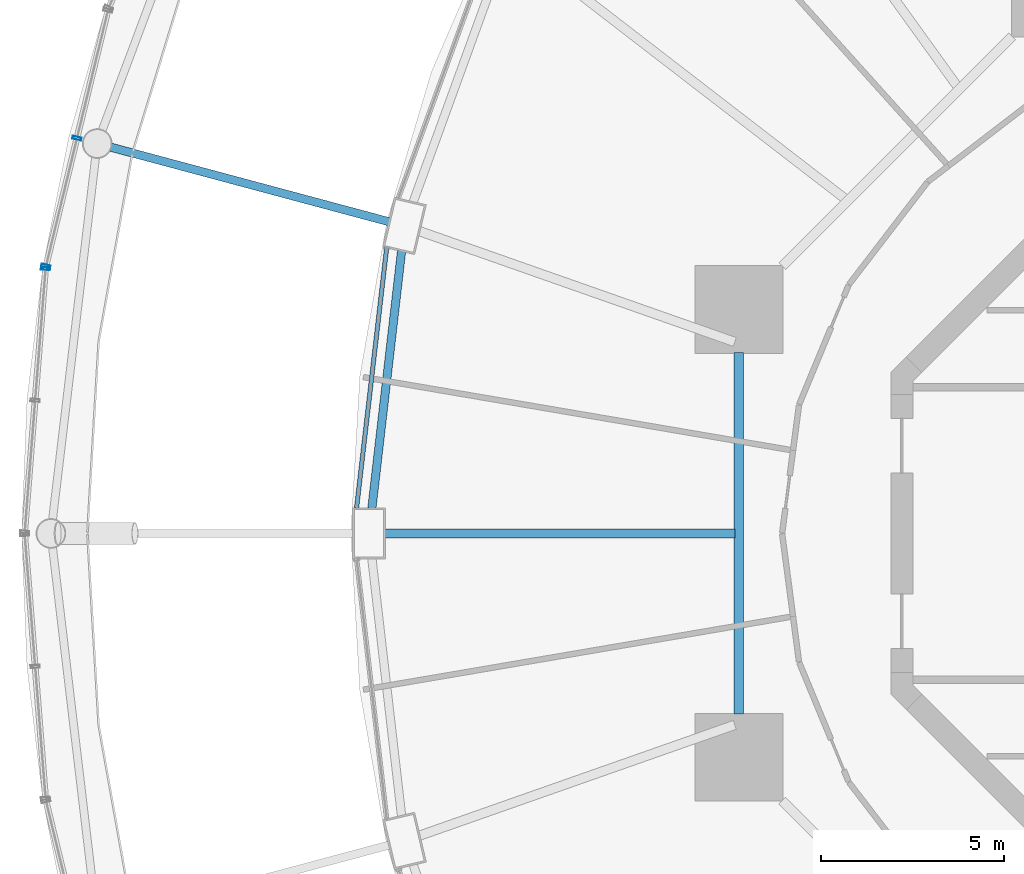
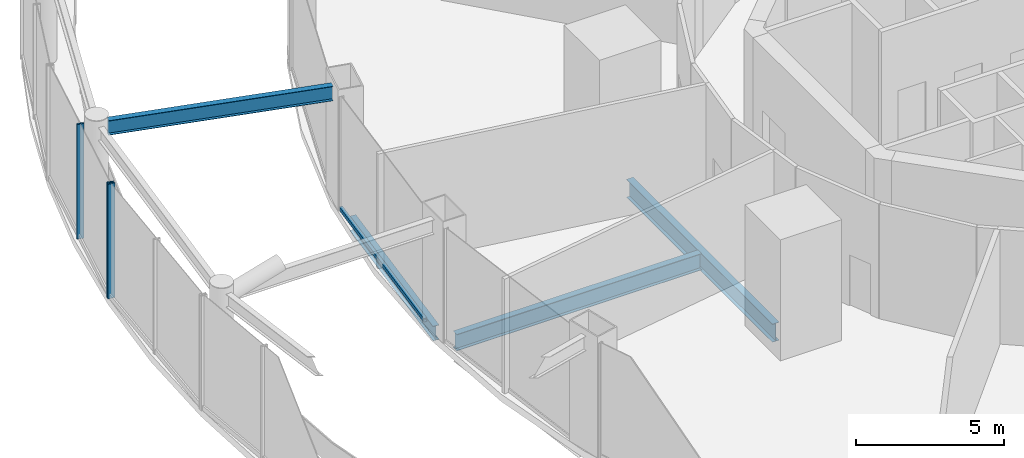
# One storey, part 20 of 52: 4 beams, 4 members, 3 elements without a shape of their own.
"""IFC4 building model written with IfcOpenShell, lengths in metres."""

from ifc_helpers import new_model, si_unit, direction, frame, origin, origin_2d, place, context, subcontext, project, spatial, hollow_rectangle, i_section, extrude, material, layer, layer_set, material_profile, profile_set, type_object, element, aggregate, save


model = new_model("IFC4")

# Units and contexts
model_context = context("Model", 3, precision=1e-05, world=origin(), true_north=direction((0.0, 1.0)))
body_context = subcontext(model_context, "Body", "Model", "MODEL_VIEW")
ifc_project = project(units=[si_unit("LENGTHUNIT", "METRE"), si_unit("AREAUNIT", "SQUARE_METRE"), si_unit("VOLUMEUNIT", "CUBIC_METRE"), si_unit("PLANEANGLEUNIT", "RADIAN"), si_unit("MASSUNIT", "GRAM", prefix="KILO")], contexts=[model_context])

# Site, building, storey
site_placement = place(None, origin())
site = spatial("IfcSite", under=ifc_project, at=site_placement, CompositionType="ELEMENT")
building_placement = place(site_placement, origin())
building = spatial("IfcBuilding", under=site, at=building_placement, Name="Nagisa Residences", CompositionType="ELEMENT")
storey_placement = place(building_placement, frame((0.0, 0.0, 22.0)))
storey = spatial("IfcBuildingStorey", under=building, at=storey_placement, Name="L04", CompositionType="ELEMENT", Elevation=22.0)

# Beam
ifc_material_1 = material(Name="Steel ASTM A572 Gr 50", Category="steel")
ifc_material_profile_1 = material_profile(ifc_material_1, i_section(OverallWidth=0.22802734375, OverallDepth=0.60302734375, WebThickness=0.010498046875, FlangeThickness=0.014892578125, at=origin_2d()), Name="W610x101")
ifc_profile_set_1 = profile_set([ifc_material_profile_1], Name="Steel ASTM A572 Gr 50")
beam_type_1 = type_object("IfcBeamType", Name="Atrium roof beam W610x101", PredefinedType="BEAM", material=ifc_profile_set_1)
beam_1_placement = place(storey_placement, frame((-24.344482421875, 8.52294921875, 4.448486328125), z_axis=(-0.965928422324, 0.258809356376, 0.0), x_axis=(-0.258809356376, -0.965928422324, 0.0)))
element("IfcBeam", 1, at=beam_1_placement, inside=storey, type_object=beam_type_1, Name="beam:L04:rer12", PredefinedType="BEAM", context=body_context, shape_type="SweptSolid", body=[
    extrude(i_section(OverallWidth=0.22802734375, OverallDepth=0.60302734375, WebThickness=0.010498046875, FlangeThickness=0.014892578125, at=origin_2d()), origin(), (0.0, 0.0, 1.0), 7.88330078125),
])

# Curtain wall, members
ifc_material_2 = material(Name="Stainless steel curtain wall system", Category="steel")
ifc_layer_1 = layer(ifc_material_2, 0.159912109375)
ifc_layer_set_1 = layer_set([ifc_layer_1], Name="CW3 CURTAIN WALL")
curtain_wall_type_1 = type_object("IfcCurtainWallType", Name="CW3 CURTAIN WALL", PredefinedType="NOTDEFINED", material=ifc_layer_set_1)
curtain_wall_1_placement = place(storey_placement, origin())
curtain_wall_1 = element("IfcCurtainWall", 2, at=curtain_wall_1_placement, inside=storey, type_object=curtain_wall_type_1, Name="cw:CW3:L04:16", PredefinedType="NOTDEFINED")
ifc_material_3 = material(Name="Stainless steel", Category="steel")
ifc_material_profile_2 = material_profile(ifc_material_3, hollow_rectangle(XDim=0.25, YDim=0.080078125, WallThickness=0.008056640625, at=origin_2d()), Name="CW3 MULLION 250x80")
ifc_profile_set_2 = profile_set([ifc_material_profile_2], Name="Stainless steel")
member_type_1 = type_object("IfcMemberType", Name="CW3 MULLION 250x80", PredefinedType="MULLION", material=ifc_profile_set_2)
member_1_placement = place(storey_placement, frame((-32.8876953125, 10.810302734375, 0.0), z_axis=(0.0, 0.0, 1.0), x_axis=(0.971848775146, -0.235605514043, 0.0)))
member_1 = element("IfcMember", 3, at=member_1_placement, type_object=member_type_1, Name="CW3 mullion", PredefinedType="MULLION", context=body_context, shape_type="SweptSolid", body=[
    extrude(hollow_rectangle(XDim=0.25, YDim=0.080078125, WallThickness=0.008056640625, at=origin_2d()), origin(), (0.0, 0.0, 1.0), 4.739990234375),
])
member_2_placement = place(storey_placement, frame((-33.735595703125, 7.313232421875, 0.0), z_axis=(0.0, 0.0, 1.0), x_axis=(0.971848775146, -0.235605514043, 0.0)))
member_2 = element("IfcMember", 4, at=member_2_placement, type_object=member_type_1, Name="CW3 mullion", PredefinedType="MULLION", context=body_context, shape_type="SweptSolid", body=[
    extrude(hollow_rectangle(XDim=0.25, YDim=0.080078125, WallThickness=0.008056640625, at=origin_2d()), origin(), (0.0, 0.0, 1.0), 4.739990234375),
])
aggregate(curtain_wall_1, [member_1, member_2])

# Curtain wall, member
curtain_wall_2_placement = place(storey_placement, origin())
curtain_wall_2 = element("IfcCurtainWall", 5, at=curtain_wall_2_placement, inside=storey, type_object=curtain_wall_type_1, Name="cw:CW3:L04:17", PredefinedType="NOTDEFINED")
member_3_placement = place(storey_placement, frame((-33.74609375, 7.2470703125, 0.0), z_axis=(0.0, 0.0, 1.0), x_axis=(0.996881777235, -0.078909582539, 0.0)))
member_3 = element("IfcMember", 6, at=member_3_placement, type_object=member_type_1, Name="CW3 mullion", PredefinedType="MULLION", context=body_context, shape_type="SweptSolid", body=[
    extrude(hollow_rectangle(XDim=0.25, YDim=0.080078125, WallThickness=0.008056640625, at=origin_2d()), origin(), (0.0, 0.0, 1.0), 4.739990234375),
])
aggregate(curtain_wall_2, [member_3])

ifc_material_4 = material(Name="Stainless steel curtain wall system", Category="steel")
ifc_layer_2 = layer(ifc_material_4, 0.159912109375)
ifc_layer_set_2 = layer_set([ifc_layer_2], Name="CW6 CURTAIN WALL")
curtain_wall_type_2 = type_object("IfcCurtainWallType", Name="CW6 CURTAIN WALL", PredefinedType="NOTDEFINED", material=ifc_layer_set_2)
curtain_wall_3_placement = place(storey_placement, origin())
curtain_wall_3 = element("IfcCurtainWall", 7, at=curtain_wall_3_placement, inside=storey, type_object=curtain_wall_type_2, Name="cw:CW6:L04:22", PredefinedType="NOTDEFINED")
ifc_material_5 = material(Name="Stainless steel", Category="steel")
ifc_material_profile_3 = material_profile(ifc_material_5, hollow_rectangle(XDim=0.1201171875, YDim=0.14990234375, WallThickness=0.008056640625, at=origin_2d()), Name="CW6 TRANSOM 120x150")
ifc_profile_set_3 = profile_set([ifc_material_profile_3], Name="Stainless steel")
member_type_2 = type_object("IfcMemberType", Name="CW6 TRANSOM 120x150", PredefinedType="USERDEFINED", material=ifc_profile_set_3)
member_4_placement = place(storey_placement, frame((-24.412841796875, 7.83642578125, 0.074951171875), z_axis=(-0.114916347997, -0.993375172311, 0.0), x_axis=(0.993375172311, -0.114916347997, 0.0)))
member_4 = element("IfcMember", 8, at=member_4_placement, type_object=member_type_2, Name="CW6 transom", ObjectType="TRANSOM", PredefinedType="USERDEFINED", context=body_context, shape_type="SweptSolid", body=[
    extrude(hollow_rectangle(XDim=0.1201171875, YDim=0.14990234375, WallThickness=0.008056640625, at=origin_2d()), origin(), (0.0, 0.0, 1.0), 7.19775390625),
])
aggregate(curtain_wall_3, [member_4])

# Beams
ifc_material_6 = material(Name="Steel ASTM A572 Gr 50", Category="steel")
ifc_material_profile_4 = material_profile(ifc_material_6, i_section(OverallWidth=0.264892578125, OverallDepth=0.7529296875, WebThickness=0.01318359375, FlangeThickness=0.01708984375, at=origin_2d()), Name="W760x147")
ifc_profile_set_4 = profile_set([ifc_material_profile_4], Name="Steel ASTM A572 Gr 50")
beam_type_2 = type_object("IfcBeamType", Name="Inner ring beam W760x147", PredefinedType="BEAM", material=ifc_profile_set_4)
beam_2_placement = place(storey_placement, frame((-14.781982421875, 4.94287109375, -0.676513671875), z_axis=(0.0, -1.0, 0.0), x_axis=(1.0, 0.0, 0.0)))
element("IfcBeam", 9, at=beam_2_placement, inside=storey, type_object=beam_type_2, Name="beam:L04:ib4", PredefinedType="BEAM", context=body_context, shape_type="SweptSolid", body=[
    extrude(i_section(OverallWidth=0.264892578125, OverallDepth=0.7529296875, WebThickness=0.01318359375, FlangeThickness=0.01708984375, at=origin_2d()), origin(), (0.0, 0.0, 1.0), 9.8857421875),
])
ifc_material_7 = material(Name="Steel ASTM A572 Gr 50", Category="steel")
ifc_material_profile_5 = material_profile(ifc_material_7, i_section(OverallWidth=0.22802734375, OverallDepth=0.60302734375, WebThickness=0.010498046875, FlangeThickness=0.014892578125, at=origin_2d()), Name="W610x101")
ifc_profile_set_5 = profile_set([ifc_material_profile_5], Name="Steel ASTM A572 Gr 50")
beam_type_3 = type_object("IfcBeamType", Name="Perimeter ring beam W610x101", PredefinedType="BEAM", material=ifc_profile_set_5)
beam_3_placement = place(storey_placement, frame((-24.00732421875, 7.7314453125, -0.6015625), z_axis=(-0.114707660057, -0.993399291687, 0.0), x_axis=(0.993399291687, -0.114707660057, 0.0)))
element("IfcBeam", 10, at=beam_3_placement, inside=storey, type_object=beam_type_3, Name="beam:L04:pb12", PredefinedType="BEAM", context=body_context, shape_type="SweptSolid", body=[
    extrude(i_section(OverallWidth=0.22802734375, OverallDepth=0.60302734375, WebThickness=0.010498046875, FlangeThickness=0.014892578125, at=origin_2d()), origin(), (0.0, 0.0, 1.0), 7.09814453125),
])
ifc_material_8 = material(Name="Steel ASTM A572 Gr 50", Category="steel")
ifc_material_profile_6 = material_profile(ifc_material_8, i_section(OverallWidth=0.25390625, OverallDepth=0.68408203125, WebThickness=0.012451171875, FlangeThickness=0.018798828125, at=origin_2d()), Name="W690x140")
ifc_profile_set_6 = profile_set([ifc_material_profile_6], Name="Steel ASTM A572 Gr 50")
beam_type_4 = type_object("IfcBeamType", Name="Radial beam W690x140", PredefinedType="BEAM", material=ifc_profile_set_6)
beam_4_placement = place(storey_placement, frame((-24.469970703125, 0.0, -0.64208984375), z_axis=(1.0, 0.0, 0.0), x_axis=(0.0, 1.0, 0.0)))
element("IfcBeam", 11, at=beam_4_placement, inside=storey, type_object=beam_type_4, Name="beam:L04:rb13", PredefinedType="BEAM", context=body_context, shape_type="SweptSolid", body=[
    extrude(i_section(OverallWidth=0.25390625, OverallDepth=0.68408203125, WebThickness=0.012451171875, FlangeThickness=0.018798828125, at=origin_2d()), origin(), (0.0, 0.0, 1.0), 9.575439453125),
])

save(model, "model.ifc")
